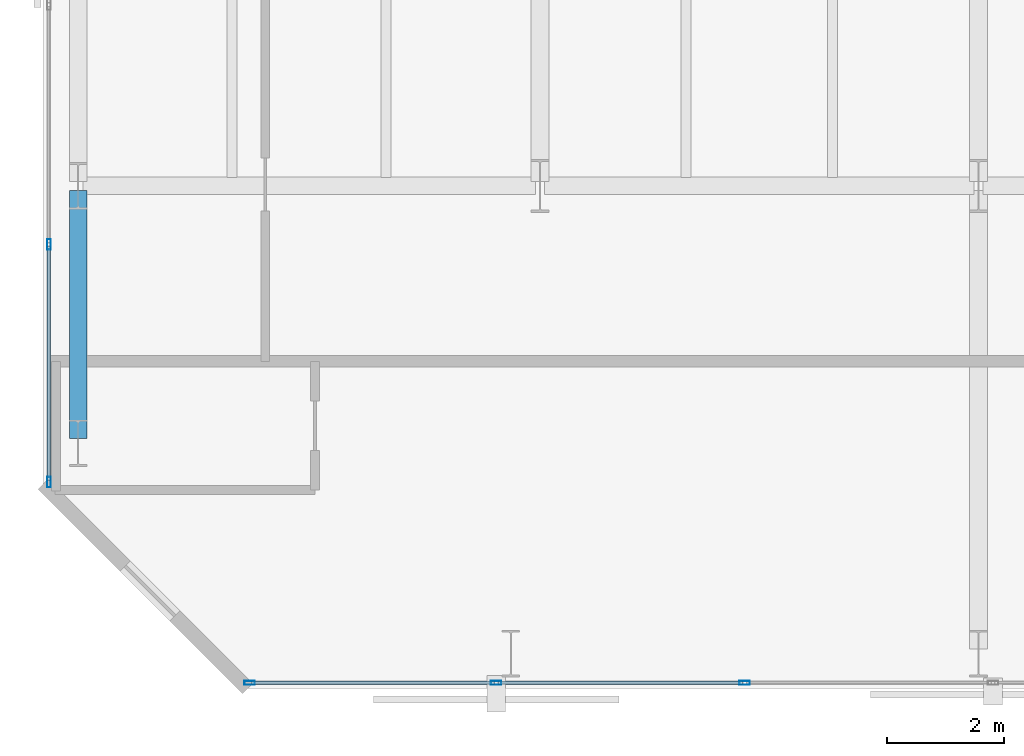
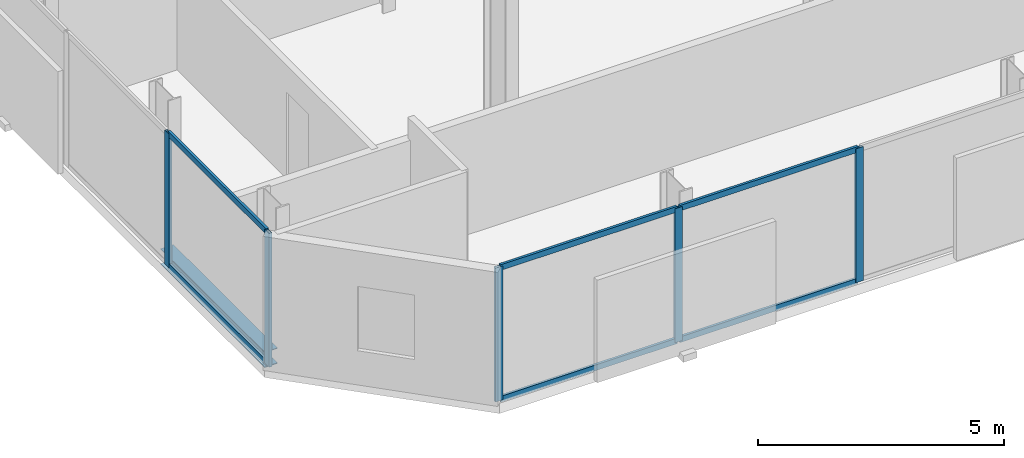
# One storey, part 3 of 33: 11 members, 1 beam, 2 elements without a shape of their own.
"""IFC4 building model written with IfcOpenShell, lengths in metres."""

from ifc_helpers import new_model, si_unit, direction, frame, origin, origin_2d, place, context, subcontext, project, spatial, hollow_rectangle, i_section, extrude, material, layer, layer_set, material_profile, profile_set, type_object, element, aggregate, save


model = new_model("IFC4")

# Units and contexts
model_context = context("Model", 3, precision=1e-05, world=origin(), true_north=direction((0.0, 1.0)))
body_context = subcontext(model_context, "Body", "Model", "MODEL_VIEW")
ifc_project = project(units=[si_unit("LENGTHUNIT", "METRE"), si_unit("AREAUNIT", "SQUARE_METRE"), si_unit("VOLUMEUNIT", "CUBIC_METRE"), si_unit("PLANEANGLEUNIT", "RADIAN"), si_unit("MASSUNIT", "GRAM", prefix="KILO")], contexts=[model_context])

# Site, building, storey
site_placement = place(None, origin())
site = spatial("IfcSite", under=ifc_project, at=site_placement, CompositionType="ELEMENT")
building_placement = place(site_placement, origin())
building = spatial("IfcBuilding", under=site, at=building_placement, Name="Catumbela Crestline Tower", CompositionType="ELEMENT")
storey_placement = place(building_placement, frame((0.0, 0.0, 47.4)))
storey = spatial("IfcBuildingStorey", under=building, at=storey_placement, Name="L11", CompositionType="ELEMENT", Elevation=47.4)

# Curtain wall, members
ifc_material_1 = material(Name="Aluminium alloy AW-6060-T66", Category="aluminium")
ifc_layer = layer(ifc_material_1, 0.18, Name="Aluminium alloy AW-6060-T66")
ifc_layer_set = layer_set([ifc_layer], Name="Aluminium alloy AW-6060-T66")
curtain_wall_type = type_object("IfcCurtainWallType", Name="CWU-Z1", PredefinedType="USERDEFINED", material=ifc_layer_set)
curtain_wall_1_placement = place(storey_placement, origin())
curtain_wall_1 = element("IfcCurtainWall", 1, at=curtain_wall_1_placement, inside=storey, type_object=curtain_wall_type, Name="L11 Unitised Curtain Wall CW-L11-E0S1", ObjectType="UNITISED", PredefinedType="USERDEFINED")
ifc_material_profile_1 = material_profile(ifc_material_1, hollow_rectangle(XDim=0.065, YDim=0.18, WallThickness=0.004, at=origin_2d()), Name="ALU 180x65x4")
ifc_profile_set_1 = profile_set([ifc_material_profile_1], Name="Aluminium alloy AW-6060-T66")
member_type_1 = type_object("IfcMemberType", Name="MUL-180X65", PredefinedType="MULLION", material=ifc_profile_set_1)
member_1_placement = place(storey_placement, frame((3.5325, 0.1, 0.0), z_axis=(0.0, 0.0, 1.0), x_axis=(0.0, 1.0, 0.0)))
member_1 = element("IfcMember", 2, at=member_1_placement, type_object=member_type_1, Name="CWU-Z1 mullion 1", PredefinedType="MULLION", context=body_context, shape_type="SweptSolid", body=[
    extrude(hollow_rectangle(XDim=0.065, YDim=0.18, WallThickness=0.004, at=origin_2d()), origin(), (0.0, 0.0, 1.0), 3.33),
])
member_2_placement = place(storey_placement, frame((7.75, 0.1, 0.0), z_axis=(0.0, 0.0, 1.0), x_axis=(0.0, 1.0, 0.0)))
member_2 = element("IfcMember", 3, at=member_2_placement, type_object=member_type_1, Name="CWU-Z1 mullion 2", PredefinedType="MULLION", context=body_context, shape_type="SweptSolid", body=[
    extrude(hollow_rectangle(XDim=0.065, YDim=0.18, WallThickness=0.004, at=origin_2d()), origin(), (0.0, 0.0, 1.0), 3.33),
])
member_3_placement = place(storey_placement, frame((12.0, 0.1, 0.0), z_axis=(0.0, 0.0, 1.0), x_axis=(0.0, 1.0, 0.0)))
member_3 = element("IfcMember", 4, at=member_3_placement, type_object=member_type_1, Name="CWU-Z1 mullion 3", PredefinedType="MULLION", context=body_context, shape_type="SweptSolid", body=[
    extrude(hollow_rectangle(XDim=0.065, YDim=0.18, WallThickness=0.004, at=origin_2d()), origin(), (0.0, 0.0, 1.0), 3.33),
])

curtain_wall_2_placement = place(storey_placement, origin())
curtain_wall_2 = element("IfcCurtainWall", 5, at=curtain_wall_2_placement, inside=storey, type_object=curtain_wall_type, Name="L11 Unitised Curtain Wall CW-L11-E9S1", ObjectType="UNITISED", PredefinedType="USERDEFINED")
member_4_placement = place(storey_placement, frame((0.1, 7.6, 0.0), z_axis=(0.0, 0.0, 1.0), x_axis=(1.0, 0.0, 0.0)))
member_4 = element("IfcMember", 6, at=member_4_placement, type_object=member_type_1, Name="CWU-Z1 mullion 10", PredefinedType="MULLION", context=body_context, shape_type="SweptSolid", body=[
    extrude(hollow_rectangle(XDim=0.065, YDim=0.18, WallThickness=0.004, at=origin_2d()), origin(), (0.0, 0.0, 1.0), 3.33),
])
member_5_placement = place(storey_placement, frame((0.1, 3.5325, 0.0), z_axis=(0.0, 0.0, 1.0), x_axis=(1.0, 0.0, 0.0)))
member_5 = element("IfcMember", 7, at=member_5_placement, type_object=member_type_1, Name="CWU-Z1 mullion 11", PredefinedType="MULLION", context=body_context, shape_type="SweptSolid", body=[
    extrude(hollow_rectangle(XDim=0.065, YDim=0.18, WallThickness=0.004, at=origin_2d()), origin(), (0.0, 0.0, 1.0), 3.33),
])

# Beam
ifc_material_2 = material(Name="Structural steel S355J2", Category="steel")
ifc_material_profile_2 = material_profile(ifc_material_2, i_section(OverallWidth=0.3, OverallDepth=0.39, WebThickness=0.011, FlangeThickness=0.019, FilletRadius=0.027, at=origin_2d()), Name="HEA 400")
ifc_profile_set_2 = profile_set([ifc_material_profile_2], Name="Structural steel S355J2")
beam_type = type_object("IfcBeamType", Name="BS-HEA400", PredefinedType="SPANDREL", material=ifc_profile_set_2)
beam_placement = place(storey_placement, frame((0.6, 4.28, -0.455), z_axis=(0.0, 1.0, 0.0), x_axis=(-1.0, 0.0, 0.0)))
element("IfcBeam", 8, at=beam_placement, inside=storey, type_object=beam_type, Name="L11 Spandrel SP-L11-WNS57", PredefinedType="SPANDREL", context=body_context, shape_type="SweptSolid", body=[
    extrude(i_section(OverallWidth=0.3, OverallDepth=0.39, WebThickness=0.011, FlangeThickness=0.019, FilletRadius=0.027, at=origin_2d()), origin(), (0.0, 0.0, 1.0), 4.24),
])

# Member
ifc_material_profile_3 = material_profile(ifc_material_1, hollow_rectangle(XDim=0.06, YDim=0.14, WallThickness=0.004, at=origin_2d()), Name="ALU 140x60x4")
ifc_profile_set_3 = profile_set([ifc_material_profile_3], Name="Aluminium alloy AW-6060-T66")
member_type_2 = type_object("IfcMemberType", Name="TRN-140X60", PredefinedType="USERDEFINED", material=ifc_profile_set_3)
member_6_placement = place(storey_placement, frame((3.565, 0.1, 0.03), z_axis=(1.0, 0.0, 0.0), x_axis=(0.0, 1.0, 0.0)))
member_6 = element("IfcMember", 9, at=member_6_placement, type_object=member_type_2, Name="CWU-Z1 transom 1.1", ObjectType="TRANSOM", PredefinedType="USERDEFINED", context=body_context, shape_type="SweptSolid", body=[
    extrude(hollow_rectangle(XDim=0.06, YDim=0.14, WallThickness=0.004, at=origin_2d()), origin(), (0.0, 0.0, 1.0), 4.1525),
])

member_7_placement = place(storey_placement, frame((3.565, 0.1, 3.3), z_axis=(1.0, 0.0, 0.0), x_axis=(0.0, 1.0, 0.0)))
member_7 = element("IfcMember", 10, at=member_7_placement, type_object=member_type_2, Name="CWU-Z1 transom 1.2", ObjectType="TRANSOM", PredefinedType="USERDEFINED", context=body_context, shape_type="SweptSolid", body=[
    extrude(hollow_rectangle(XDim=0.06, YDim=0.14, WallThickness=0.004, at=origin_2d()), origin(), (0.0, 0.0, 1.0), 4.1525),
])

member_8_placement = place(storey_placement, frame((7.7825, 0.1, 0.03), z_axis=(1.0, 0.0, 0.0), x_axis=(0.0, 1.0, 0.0)))
member_8 = element("IfcMember", 11, at=member_8_placement, type_object=member_type_2, Name="CWU-Z1 transom 2.1", ObjectType="TRANSOM", PredefinedType="USERDEFINED", context=body_context, shape_type="SweptSolid", body=[
    extrude(hollow_rectangle(XDim=0.06, YDim=0.14, WallThickness=0.004, at=origin_2d()), origin(), (0.0, 0.0, 1.0), 4.185),
])

member_9_placement = place(storey_placement, frame((7.7825, 0.1, 3.3), z_axis=(1.0, 0.0, 0.0), x_axis=(0.0, 1.0, 0.0)))
member_9 = element("IfcMember", 12, at=member_9_placement, type_object=member_type_2, Name="CWU-Z1 transom 2.2", ObjectType="TRANSOM", PredefinedType="USERDEFINED", context=body_context, shape_type="SweptSolid", body=[
    extrude(hollow_rectangle(XDim=0.06, YDim=0.14, WallThickness=0.004, at=origin_2d()), origin(), (0.0, 0.0, 1.0), 4.185),
])

aggregate(curtain_wall_1, [member_1, member_2, member_3, member_6, member_7, member_8, member_9])

member_10_placement = place(storey_placement, frame((0.1, 7.5675, 0.03), z_axis=(0.0, -1.0, 0.0), x_axis=(1.0, 0.0, 0.0)))
member_10 = element("IfcMember", 13, at=member_10_placement, type_object=member_type_2, Name="CWU-Z1 transom 10.1", ObjectType="TRANSOM", PredefinedType="USERDEFINED", context=body_context, shape_type="SweptSolid", body=[
    extrude(hollow_rectangle(XDim=0.06, YDim=0.14, WallThickness=0.004, at=origin_2d()), origin(), (0.0, 0.0, 1.0), 4.0025),
])

member_11_placement = place(storey_placement, frame((0.1, 7.5675, 3.3), z_axis=(0.0, -1.0, 0.0), x_axis=(1.0, 0.0, 0.0)))
member_11 = element("IfcMember", 14, at=member_11_placement, type_object=member_type_2, Name="CWU-Z1 transom 10.2", ObjectType="TRANSOM", PredefinedType="USERDEFINED", context=body_context, shape_type="SweptSolid", body=[
    extrude(hollow_rectangle(XDim=0.06, YDim=0.14, WallThickness=0.004, at=origin_2d()), origin(), (0.0, 0.0, 1.0), 4.0025),
])

aggregate(curtain_wall_2, [member_4, member_5, member_10, member_11])

save(model, "model.ifc")
